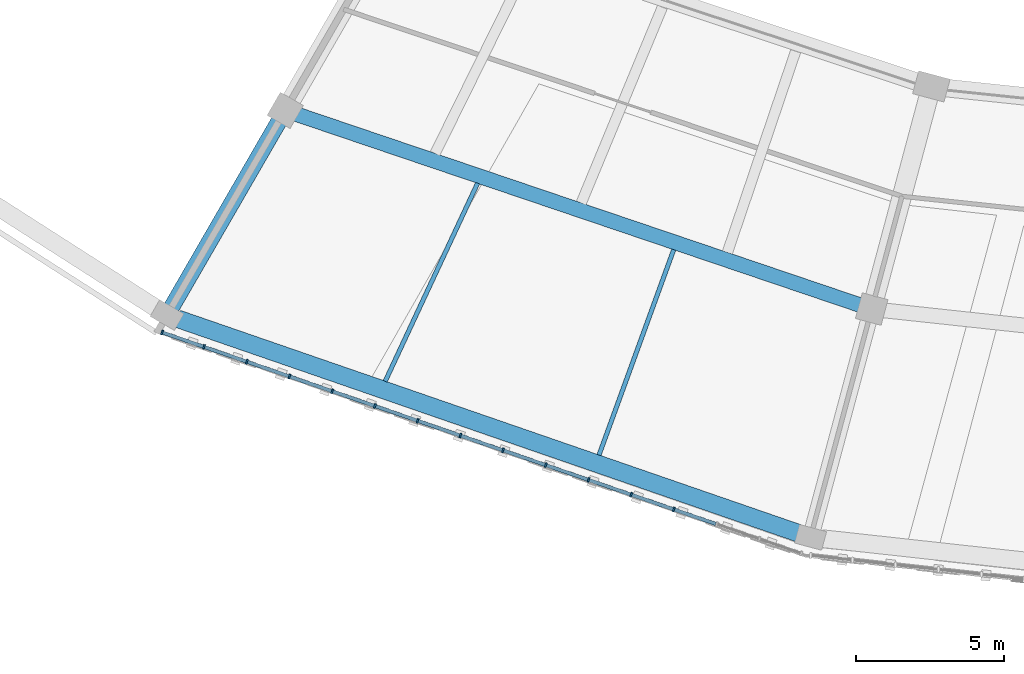
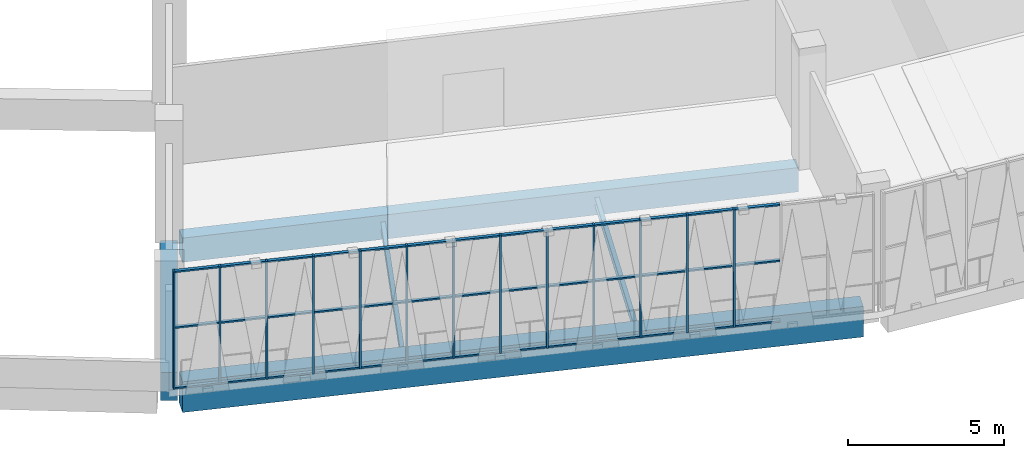
# One storey, part 2 of 64: 52 members, 5 beams, 1 element without a shape of its own.
"""IFC4 building model written with IfcOpenShell, lengths in metres."""

from ifc_helpers import new_model, si_unit, direction, frame, origin, origin_2d, place, context, subcontext, project, spatial, rectangle, i_section, extrude, material, material_profile, profile_set, type_object, element, aggregate, save


model = new_model("IFC4")

# Units and contexts
model_context = context("Model", 3, precision=1e-05, world=origin(), true_north=direction((0.0, 1.0)))
body_context = subcontext(model_context, "Body", "Model", "MODEL_VIEW")
ifc_project = project(units=[si_unit("LENGTHUNIT", "METRE"), si_unit("AREAUNIT", "SQUARE_METRE"), si_unit("VOLUMEUNIT", "CUBIC_METRE"), si_unit("PLANEANGLEUNIT", "RADIAN"), si_unit("MASSUNIT", "GRAM", prefix="KILO")], contexts=[model_context])

# Site, building, storey
site_placement = place(None, origin())
site = spatial("IfcSite", under=ifc_project, at=site_placement, CompositionType="ELEMENT")
building_placement = place(site_placement, origin())
building = spatial("IfcBuilding", under=site, at=building_placement, Name="Zevraka Park Crest Stadium", CompositionType="ELEMENT")
storey_placement = place(building_placement, frame((0.0, 0.0, 24.60009765625)))
storey = spatial("IfcBuildingStorey", under=building, at=storey_placement, Name="L05", CompositionType="ELEMENT", Elevation=24.60009765625)

# Beam
ifc_material_1 = material(Name="Concrete C40/50", Category="concrete")
ifc_material_profile_1 = material_profile(ifc_material_1, rectangle(XDim=0.550048828125, YDim=1.10009765625, at=origin_2d()), Name="RC 1100x550")
ifc_profile_set_1 = profile_set([ifc_material_profile_1], Name="Concrete C40/50")
beam_type_1 = type_object("IfcBeamType", Name="BG02", PredefinedType="BEAM", material=ifc_profile_set_1)
beam_1_placement = place(storey_placement, frame((70.699951171875, 33.4560546875, -0.56005859375), z_axis=(-0.500031859608, -0.86600700885, 0.0), x_axis=(0.86600700885, -0.500031859608, 0.0)))
element("IfcBeam", 1, at=beam_1_placement, inside=storey, type_object=beam_type_1, Name="Radial Girder BG02 L05-CD-16", PredefinedType="BEAM", context=body_context, shape_type="SweptSolid", body=[
    extrude(rectangle(XDim=0.550048828125, YDim=1.10009765625, at=origin_2d()), origin(), (0.0, 0.0, 1.0), 7.3994140625),
])

# Curtain wall, members
ifc_material_2 = material(Name="Anodised architectural aluminium and laminated safety glass", Category="aluminium")
curtain_wall_type = type_object("IfcCurtainWallType", Name="CW22", PredefinedType="NOTDEFINED", material=ifc_material_2)
curtain_wall_placement = place(storey_placement, origin())
curtain_wall = element("IfcCurtainWall", 2, at=curtain_wall_placement, inside=storey, type_object=curtain_wall_type, Name="Unitised Ring Curtain Wall CW22 L05-16", PredefinedType="NOTDEFINED")
ifc_material_3 = material(Name="Anodised architectural aluminium", Category="aluminium")
ifc_material_profile_2 = material_profile(ifc_material_3, rectangle(XDim=0.159912109375, YDim=0.06005859375, at=origin_2d()), Name="ALU MULLION 160x60")
ifc_profile_set_2 = profile_set([ifc_material_profile_2], Name="Anodised architectural aluminium")
member_type_1 = type_object("IfcMemberType", Name="CM01", PredefinedType="MULLION", material=ifc_profile_set_2)
member_1_placement = place(storey_placement, frame((66.686279296875, 26.2021484375, 0.0), z_axis=(0.0, 0.0, 1.0), x_axis=(0.326929424834, 0.945048755979, 0.0)))
member_1 = element("IfcMember", 3, at=member_1_placement, type_object=member_type_1, Name="CW22 mullion 1", PredefinedType="MULLION", context=body_context, shape_type="SweptSolid", body=[
    extrude(rectangle(XDim=0.159912109375, YDim=0.06005859375, at=origin_2d()), origin(), (0.0, 0.0, 1.0), 4.619873046875),
])
member_2_placement = place(storey_placement, frame((68.103515625, 25.7119140625, 0.0), z_axis=(0.0, 0.0, 1.0), x_axis=(0.326929424834, 0.945048755979, 0.0)))
member_2 = element("IfcMember", 4, at=member_2_placement, type_object=member_type_1, Name="CW22 mullion 2", PredefinedType="MULLION", context=body_context, shape_type="SweptSolid", body=[
    extrude(rectangle(XDim=0.159912109375, YDim=0.06005859375, at=origin_2d()), origin(), (0.0, 0.0, 1.0), 4.619873046875),
])
member_3_placement = place(storey_placement, frame((69.549072265625, 25.2119140625, 0.0), z_axis=(0.0, 0.0, 1.0), x_axis=(0.326929424834, 0.945048755979, 0.0)))
member_3 = element("IfcMember", 5, at=member_3_placement, type_object=member_type_1, Name="CW22 mullion 3", PredefinedType="MULLION", context=body_context, shape_type="SweptSolid", body=[
    extrude(rectangle(XDim=0.159912109375, YDim=0.06005859375, at=origin_2d()), origin(), (0.0, 0.0, 1.0), 4.619873046875),
])
member_4_placement = place(storey_placement, frame((70.99462890625, 24.7119140625, 0.0), z_axis=(0.0, 0.0, 1.0), x_axis=(0.326929424834, 0.945048755979, 0.0)))
member_4 = element("IfcMember", 6, at=member_4_placement, type_object=member_type_1, Name="CW22 mullion 4", PredefinedType="MULLION", context=body_context, shape_type="SweptSolid", body=[
    extrude(rectangle(XDim=0.159912109375, YDim=0.06005859375, at=origin_2d()), origin(), (0.0, 0.0, 1.0), 4.619873046875),
])
member_5_placement = place(storey_placement, frame((72.440185546875, 24.211669921875, 0.0), z_axis=(0.0, 0.0, 1.0), x_axis=(0.326929424834, 0.945048755979, 0.0)))
member_5 = element("IfcMember", 7, at=member_5_placement, type_object=member_type_1, Name="CW22 mullion 5", PredefinedType="MULLION", context=body_context, shape_type="SweptSolid", body=[
    extrude(rectangle(XDim=0.159912109375, YDim=0.06005859375, at=origin_2d()), origin(), (0.0, 0.0, 1.0), 4.619873046875),
])
member_6_placement = place(storey_placement, frame((73.8857421875, 23.711669921875, 0.0), z_axis=(0.0, 0.0, 1.0), x_axis=(0.326929424834, 0.945048755979, 0.0)))
member_6 = element("IfcMember", 8, at=member_6_placement, type_object=member_type_1, Name="CW22 mullion 6", PredefinedType="MULLION", context=body_context, shape_type="SweptSolid", body=[
    extrude(rectangle(XDim=0.159912109375, YDim=0.06005859375, at=origin_2d()), origin(), (0.0, 0.0, 1.0), 4.619873046875),
])
member_7_placement = place(storey_placement, frame((75.331298828125, 23.211669921875, 0.0), z_axis=(0.0, 0.0, 1.0), x_axis=(0.326929424834, 0.945048755979, 0.0)))
member_7 = element("IfcMember", 9, at=member_7_placement, type_object=member_type_1, Name="CW22 mullion 7", PredefinedType="MULLION", context=body_context, shape_type="SweptSolid", body=[
    extrude(rectangle(XDim=0.159912109375, YDim=0.06005859375, at=origin_2d()), origin(), (0.0, 0.0, 1.0), 4.619873046875),
])
member_8_placement = place(storey_placement, frame((76.776611328125, 22.71142578125, 0.0), z_axis=(0.0, 0.0, 1.0), x_axis=(0.326929424834, 0.945048755979, 0.0)))
member_8 = element("IfcMember", 10, at=member_8_placement, type_object=member_type_1, Name="CW22 mullion 8", PredefinedType="MULLION", context=body_context, shape_type="SweptSolid", body=[
    extrude(rectangle(XDim=0.159912109375, YDim=0.06005859375, at=origin_2d()), origin(), (0.0, 0.0, 1.0), 4.619873046875),
])
member_9_placement = place(storey_placement, frame((78.22216796875, 22.21142578125, 0.0), z_axis=(0.0, 0.0, 1.0), x_axis=(0.326929424834, 0.945048755979, 0.0)))
member_9 = element("IfcMember", 11, at=member_9_placement, type_object=member_type_1, Name="CW22 mullion 9", PredefinedType="MULLION", context=body_context, shape_type="SweptSolid", body=[
    extrude(rectangle(XDim=0.159912109375, YDim=0.06005859375, at=origin_2d()), origin(), (0.0, 0.0, 1.0), 4.619873046875),
])
member_10_placement = place(storey_placement, frame((79.667724609375, 21.71142578125, 0.0), z_axis=(0.0, 0.0, 1.0), x_axis=(0.326929424834, 0.945048755979, 0.0)))
member_10 = element("IfcMember", 12, at=member_10_placement, type_object=member_type_1, Name="CW22 mullion 10", PredefinedType="MULLION", context=body_context, shape_type="SweptSolid", body=[
    extrude(rectangle(XDim=0.159912109375, YDim=0.06005859375, at=origin_2d()), origin(), (0.0, 0.0, 1.0), 4.619873046875),
])
member_11_placement = place(storey_placement, frame((81.11328125, 21.21142578125, 0.0), z_axis=(0.0, 0.0, 1.0), x_axis=(0.326929424834, 0.945048755979, 0.0)))
member_11 = element("IfcMember", 13, at=member_11_placement, type_object=member_type_1, Name="CW22 mullion 11", PredefinedType="MULLION", context=body_context, shape_type="SweptSolid", body=[
    extrude(rectangle(XDim=0.159912109375, YDim=0.06005859375, at=origin_2d()), origin(), (0.0, 0.0, 1.0), 4.619873046875),
])
member_12_placement = place(storey_placement, frame((82.558837890625, 20.711181640625, 0.0), z_axis=(0.0, 0.0, 1.0), x_axis=(0.326929424834, 0.945048755979, 0.0)))
member_12 = element("IfcMember", 14, at=member_12_placement, type_object=member_type_1, Name="CW22 mullion 12", PredefinedType="MULLION", context=body_context, shape_type="SweptSolid", body=[
    extrude(rectangle(XDim=0.159912109375, YDim=0.06005859375, at=origin_2d()), origin(), (0.0, 0.0, 1.0), 4.619873046875),
])
member_13_placement = place(storey_placement, frame((84.00439453125, 20.211181640625, 0.0), z_axis=(0.0, 0.0, 1.0), x_axis=(0.326929424834, 0.945048755979, 0.0)))
member_13 = element("IfcMember", 15, at=member_13_placement, type_object=member_type_1, Name="CW22 mullion 13", PredefinedType="MULLION", context=body_context, shape_type="SweptSolid", body=[
    extrude(rectangle(XDim=0.159912109375, YDim=0.06005859375, at=origin_2d()), origin(), (0.0, 0.0, 1.0), 4.619873046875),
])
ifc_material_4 = material(Name="Anodised architectural aluminium", Category="aluminium")
ifc_material_profile_3 = material_profile(ifc_material_4, rectangle(XDim=0.1201171875, YDim=0.06005859375, at=origin_2d()), Name="ALU TRANSOM 120x60")
ifc_profile_set_3 = profile_set([ifc_material_profile_3], Name="Anodised architectural aluminium")
member_type_2 = type_object("IfcMemberType", Name="CT01", PredefinedType="USERDEFINED", material=ifc_profile_set_3)
member_14_placement = place(storey_placement, frame((66.714599609375, 26.1923828125, 0.02978515625), z_axis=(0.945044524948, -0.326941655141, 0.0), x_axis=(0.326941655141, 0.945044524948, 0.0)))
member_14 = element("IfcMember", 16, at=member_14_placement, type_object=member_type_2, Name="CW22 transom 1.1", ObjectType="TRANSOM", PredefinedType="USERDEFINED", context=body_context, shape_type="SweptSolid", body=[
    extrude(rectangle(XDim=0.1201171875, YDim=0.06005859375, at=origin_2d()), origin(), (0.0, 0.0, 1.0), 1.439697265625),
])
member_15_placement = place(storey_placement, frame((66.714599609375, 26.1923828125, 2.39990234375), z_axis=(0.945044524948, -0.326941655141, 0.0), x_axis=(0.326941655141, 0.945044524948, 0.0)))
member_15 = element("IfcMember", 17, at=member_15_placement, type_object=member_type_2, Name="CW22 transom 1.2", ObjectType="TRANSOM", PredefinedType="USERDEFINED", context=body_context, shape_type="SweptSolid", body=[
    extrude(rectangle(XDim=0.1201171875, YDim=0.06005859375, at=origin_2d()), origin(), (0.0, 0.0, 1.0), 1.439697265625),
])
member_16_placement = place(storey_placement, frame((66.714599609375, 26.1923828125, 4.58984375), z_axis=(0.945044524948, -0.326941655141, 0.0), x_axis=(0.326941655141, 0.945044524948, 0.0)))
member_16 = element("IfcMember", 18, at=member_16_placement, type_object=member_type_2, Name="CW22 transom 1.3", ObjectType="TRANSOM", PredefinedType="USERDEFINED", context=body_context, shape_type="SweptSolid", body=[
    extrude(rectangle(XDim=0.1201171875, YDim=0.06005859375, at=origin_2d()), origin(), (0.0, 0.0, 1.0), 1.439697265625),
])
member_17_placement = place(storey_placement, frame((68.1318359375, 25.7021484375, 0.02978515625), z_axis=(0.945051229525, -0.326922274513, 0.0), x_axis=(0.326922274513, 0.945051229525, 0.0)))
member_17 = element("IfcMember", 19, at=member_17_placement, type_object=member_type_2, Name="CW22 transom 2.1", ObjectType="TRANSOM", PredefinedType="USERDEFINED", context=body_context, shape_type="SweptSolid", body=[
    extrude(rectangle(XDim=0.1201171875, YDim=0.06005859375, at=origin_2d()), origin(), (0.0, 0.0, 1.0), 1.4697265625),
])
member_18_placement = place(storey_placement, frame((68.1318359375, 25.7021484375, 2.39990234375), z_axis=(0.945051229525, -0.326922274513, 0.0), x_axis=(0.326922274513, 0.945051229525, 0.0)))
member_18 = element("IfcMember", 20, at=member_18_placement, type_object=member_type_2, Name="CW22 transom 2.2", ObjectType="TRANSOM", PredefinedType="USERDEFINED", context=body_context, shape_type="SweptSolid", body=[
    extrude(rectangle(XDim=0.1201171875, YDim=0.06005859375, at=origin_2d()), origin(), (0.0, 0.0, 1.0), 1.4697265625),
])
member_19_placement = place(storey_placement, frame((68.1318359375, 25.7021484375, 4.58984375), z_axis=(0.945051229525, -0.326922274513, 0.0), x_axis=(0.326922274513, 0.945051229525, 0.0)))
member_19 = element("IfcMember", 21, at=member_19_placement, type_object=member_type_2, Name="CW22 transom 2.3", ObjectType="TRANSOM", PredefinedType="USERDEFINED", context=body_context, shape_type="SweptSolid", body=[
    extrude(rectangle(XDim=0.1201171875, YDim=0.06005859375, at=origin_2d()), origin(), (0.0, 0.0, 1.0), 1.4697265625),
])
member_20_placement = place(storey_placement, frame((69.577392578125, 25.2021484375, 0.02978515625), z_axis=(0.945051229525, -0.326922274513, 0.0), x_axis=(0.326922274513, 0.945051229525, 0.0)))
member_20 = element("IfcMember", 22, at=member_20_placement, type_object=member_type_2, Name="CW22 transom 3.1", ObjectType="TRANSOM", PredefinedType="USERDEFINED", context=body_context, shape_type="SweptSolid", body=[
    extrude(rectangle(XDim=0.1201171875, YDim=0.06005859375, at=origin_2d()), origin(), (0.0, 0.0, 1.0), 1.4697265625),
])
member_21_placement = place(storey_placement, frame((69.577392578125, 25.2021484375, 2.39990234375), z_axis=(0.945051229525, -0.326922274513, 0.0), x_axis=(0.326922274513, 0.945051229525, 0.0)))
member_21 = element("IfcMember", 23, at=member_21_placement, type_object=member_type_2, Name="CW22 transom 3.2", ObjectType="TRANSOM", PredefinedType="USERDEFINED", context=body_context, shape_type="SweptSolid", body=[
    extrude(rectangle(XDim=0.1201171875, YDim=0.06005859375, at=origin_2d()), origin(), (0.0, 0.0, 1.0), 1.4697265625),
])
member_22_placement = place(storey_placement, frame((69.577392578125, 25.2021484375, 4.58984375), z_axis=(0.945051229525, -0.326922274513, 0.0), x_axis=(0.326922274513, 0.945051229525, 0.0)))
member_22 = element("IfcMember", 24, at=member_22_placement, type_object=member_type_2, Name="CW22 transom 3.3", ObjectType="TRANSOM", PredefinedType="USERDEFINED", context=body_context, shape_type="SweptSolid", body=[
    extrude(rectangle(XDim=0.1201171875, YDim=0.06005859375, at=origin_2d()), origin(), (0.0, 0.0, 1.0), 1.4697265625),
])
member_23_placement = place(storey_placement, frame((71.02294921875, 24.701904296875, 0.02978515625), z_axis=(0.945051229525, -0.326922274513, 0.0), x_axis=(0.326922274513, 0.945051229525, 0.0)))
member_23 = element("IfcMember", 25, at=member_23_placement, type_object=member_type_2, Name="CW22 transom 4.1", ObjectType="TRANSOM", PredefinedType="USERDEFINED", context=body_context, shape_type="SweptSolid", body=[
    extrude(rectangle(XDim=0.1201171875, YDim=0.06005859375, at=origin_2d()), origin(), (0.0, 0.0, 1.0), 1.4697265625),
])
member_24_placement = place(storey_placement, frame((71.02294921875, 24.701904296875, 2.39990234375), z_axis=(0.945051229525, -0.326922274513, 0.0), x_axis=(0.326922274513, 0.945051229525, 0.0)))
member_24 = element("IfcMember", 26, at=member_24_placement, type_object=member_type_2, Name="CW22 transom 4.2", ObjectType="TRANSOM", PredefinedType="USERDEFINED", context=body_context, shape_type="SweptSolid", body=[
    extrude(rectangle(XDim=0.1201171875, YDim=0.06005859375, at=origin_2d()), origin(), (0.0, 0.0, 1.0), 1.4697265625),
])
member_25_placement = place(storey_placement, frame((71.02294921875, 24.701904296875, 4.58984375), z_axis=(0.945051229525, -0.326922274513, 0.0), x_axis=(0.326922274513, 0.945051229525, 0.0)))
member_25 = element("IfcMember", 27, at=member_25_placement, type_object=member_type_2, Name="CW22 transom 4.3", ObjectType="TRANSOM", PredefinedType="USERDEFINED", context=body_context, shape_type="SweptSolid", body=[
    extrude(rectangle(XDim=0.1201171875, YDim=0.06005859375, at=origin_2d()), origin(), (0.0, 0.0, 1.0), 1.4697265625),
])
member_26_placement = place(storey_placement, frame((72.468505859375, 24.201904296875, 0.02978515625), z_axis=(0.945051229525, -0.326922274513, 0.0), x_axis=(0.326922274513, 0.945051229525, 0.0)))
member_26 = element("IfcMember", 28, at=member_26_placement, type_object=member_type_2, Name="CW22 transom 5.1", ObjectType="TRANSOM", PredefinedType="USERDEFINED", context=body_context, shape_type="SweptSolid", body=[
    extrude(rectangle(XDim=0.1201171875, YDim=0.06005859375, at=origin_2d()), origin(), (0.0, 0.0, 1.0), 1.4697265625),
])
member_27_placement = place(storey_placement, frame((72.468505859375, 24.201904296875, 2.39990234375), z_axis=(0.945051229525, -0.326922274513, 0.0), x_axis=(0.326922274513, 0.945051229525, 0.0)))
member_27 = element("IfcMember", 29, at=member_27_placement, type_object=member_type_2, Name="CW22 transom 5.2", ObjectType="TRANSOM", PredefinedType="USERDEFINED", context=body_context, shape_type="SweptSolid", body=[
    extrude(rectangle(XDim=0.1201171875, YDim=0.06005859375, at=origin_2d()), origin(), (0.0, 0.0, 1.0), 1.4697265625),
])
member_28_placement = place(storey_placement, frame((72.468505859375, 24.201904296875, 4.58984375), z_axis=(0.945051229525, -0.326922274513, 0.0), x_axis=(0.326922274513, 0.945051229525, 0.0)))
member_28 = element("IfcMember", 30, at=member_28_placement, type_object=member_type_2, Name="CW22 transom 5.3", ObjectType="TRANSOM", PredefinedType="USERDEFINED", context=body_context, shape_type="SweptSolid", body=[
    extrude(rectangle(XDim=0.1201171875, YDim=0.06005859375, at=origin_2d()), origin(), (0.0, 0.0, 1.0), 1.4697265625),
])
member_29_placement = place(storey_placement, frame((73.9140625, 23.701904296875, 0.02978515625), z_axis=(0.945033470844, -0.326973605946, 0.0), x_axis=(0.326973605946, 0.945033470844, 0.0)))
member_29 = element("IfcMember", 31, at=member_29_placement, type_object=member_type_2, Name="CW22 transom 6.1", ObjectType="TRANSOM", PredefinedType="USERDEFINED", context=body_context, shape_type="SweptSolid", body=[
    extrude(rectangle(XDim=0.1201171875, YDim=0.06005859375, at=origin_2d()), origin(), (0.0, 0.0, 1.0), 1.469482421875),
])
member_30_placement = place(storey_placement, frame((73.9140625, 23.701904296875, 2.39990234375), z_axis=(0.945033470844, -0.326973605946, 0.0), x_axis=(0.326973605946, 0.945033470844, 0.0)))
member_30 = element("IfcMember", 32, at=member_30_placement, type_object=member_type_2, Name="CW22 transom 6.2", ObjectType="TRANSOM", PredefinedType="USERDEFINED", context=body_context, shape_type="SweptSolid", body=[
    extrude(rectangle(XDim=0.1201171875, YDim=0.06005859375, at=origin_2d()), origin(), (0.0, 0.0, 1.0), 1.469482421875),
])
member_31_placement = place(storey_placement, frame((73.9140625, 23.701904296875, 4.58984375), z_axis=(0.945033470844, -0.326973605946, 0.0), x_axis=(0.326973605946, 0.945033470844, 0.0)))
member_31 = element("IfcMember", 33, at=member_31_placement, type_object=member_type_2, Name="CW22 transom 6.3", ObjectType="TRANSOM", PredefinedType="USERDEFINED", context=body_context, shape_type="SweptSolid", body=[
    extrude(rectangle(XDim=0.1201171875, YDim=0.06005859375, at=origin_2d()), origin(), (0.0, 0.0, 1.0), 1.469482421875),
])
member_32_placement = place(storey_placement, frame((75.359619140625, 23.201904296875, 0.02978515625), z_axis=(0.945033470844, -0.326973605946, 0.0), x_axis=(0.326973605946, 0.945033470844, 0.0)))
member_32 = element("IfcMember", 34, at=member_32_placement, type_object=member_type_2, Name="CW22 transom 7.1", ObjectType="TRANSOM", PredefinedType="USERDEFINED", context=body_context, shape_type="SweptSolid", body=[
    extrude(rectangle(XDim=0.1201171875, YDim=0.06005859375, at=origin_2d()), origin(), (0.0, 0.0, 1.0), 1.469482421875),
])
member_33_placement = place(storey_placement, frame((75.359619140625, 23.201904296875, 2.39990234375), z_axis=(0.945033470844, -0.326973605946, 0.0), x_axis=(0.326973605946, 0.945033470844, 0.0)))
member_33 = element("IfcMember", 35, at=member_33_placement, type_object=member_type_2, Name="CW22 transom 7.2", ObjectType="TRANSOM", PredefinedType="USERDEFINED", context=body_context, shape_type="SweptSolid", body=[
    extrude(rectangle(XDim=0.1201171875, YDim=0.06005859375, at=origin_2d()), origin(), (0.0, 0.0, 1.0), 1.469482421875),
])
member_34_placement = place(storey_placement, frame((75.359619140625, 23.201904296875, 4.58984375), z_axis=(0.945033470844, -0.326973605946, 0.0), x_axis=(0.326973605946, 0.945033470844, 0.0)))
member_34 = element("IfcMember", 36, at=member_34_placement, type_object=member_type_2, Name="CW22 transom 7.3", ObjectType="TRANSOM", PredefinedType="USERDEFINED", context=body_context, shape_type="SweptSolid", body=[
    extrude(rectangle(XDim=0.1201171875, YDim=0.06005859375, at=origin_2d()), origin(), (0.0, 0.0, 1.0), 1.469482421875),
])
member_35_placement = place(storey_placement, frame((76.80517578125, 22.70166015625, 0.02978515625), z_axis=(0.945033470844, -0.326973605946, 0.0), x_axis=(0.326973605946, 0.945033470844, 0.0)))
member_35 = element("IfcMember", 37, at=member_35_placement, type_object=member_type_2, Name="CW22 transom 8.1", ObjectType="TRANSOM", PredefinedType="USERDEFINED", context=body_context, shape_type="SweptSolid", body=[
    extrude(rectangle(XDim=0.1201171875, YDim=0.06005859375, at=origin_2d()), origin(), (0.0, 0.0, 1.0), 1.469482421875),
])
member_36_placement = place(storey_placement, frame((76.80517578125, 22.70166015625, 2.39990234375), z_axis=(0.945033470844, -0.326973605946, 0.0), x_axis=(0.326973605946, 0.945033470844, 0.0)))
member_36 = element("IfcMember", 38, at=member_36_placement, type_object=member_type_2, Name="CW22 transom 8.2", ObjectType="TRANSOM", PredefinedType="USERDEFINED", context=body_context, shape_type="SweptSolid", body=[
    extrude(rectangle(XDim=0.1201171875, YDim=0.06005859375, at=origin_2d()), origin(), (0.0, 0.0, 1.0), 1.469482421875),
])
member_37_placement = place(storey_placement, frame((76.80517578125, 22.70166015625, 4.58984375), z_axis=(0.945033470844, -0.326973605946, 0.0), x_axis=(0.326973605946, 0.945033470844, 0.0)))
member_37 = element("IfcMember", 39, at=member_37_placement, type_object=member_type_2, Name="CW22 transom 8.3", ObjectType="TRANSOM", PredefinedType="USERDEFINED", context=body_context, shape_type="SweptSolid", body=[
    extrude(rectangle(XDim=0.1201171875, YDim=0.06005859375, at=origin_2d()), origin(), (0.0, 0.0, 1.0), 1.469482421875),
])
member_38_placement = place(storey_placement, frame((78.250732421875, 22.20166015625, 0.02978515625), z_axis=(0.945033470844, -0.326973605946, 0.0), x_axis=(0.326973605946, 0.945033470844, 0.0)))
member_38 = element("IfcMember", 40, at=member_38_placement, type_object=member_type_2, Name="CW22 transom 9.1", ObjectType="TRANSOM", PredefinedType="USERDEFINED", context=body_context, shape_type="SweptSolid", body=[
    extrude(rectangle(XDim=0.1201171875, YDim=0.06005859375, at=origin_2d()), origin(), (0.0, 0.0, 1.0), 1.469482421875),
])
member_39_placement = place(storey_placement, frame((78.250732421875, 22.20166015625, 2.39990234375), z_axis=(0.945033470844, -0.326973605946, 0.0), x_axis=(0.326973605946, 0.945033470844, 0.0)))
member_39 = element("IfcMember", 41, at=member_39_placement, type_object=member_type_2, Name="CW22 transom 9.2", ObjectType="TRANSOM", PredefinedType="USERDEFINED", context=body_context, shape_type="SweptSolid", body=[
    extrude(rectangle(XDim=0.1201171875, YDim=0.06005859375, at=origin_2d()), origin(), (0.0, 0.0, 1.0), 1.469482421875),
])
member_40_placement = place(storey_placement, frame((78.250732421875, 22.20166015625, 4.58984375), z_axis=(0.945033470844, -0.326973605946, 0.0), x_axis=(0.326973605946, 0.945033470844, 0.0)))
member_40 = element("IfcMember", 42, at=member_40_placement, type_object=member_type_2, Name="CW22 transom 9.3", ObjectType="TRANSOM", PredefinedType="USERDEFINED", context=body_context, shape_type="SweptSolid", body=[
    extrude(rectangle(XDim=0.1201171875, YDim=0.06005859375, at=origin_2d()), origin(), (0.0, 0.0, 1.0), 1.469482421875),
])
member_41_placement = place(storey_placement, frame((79.696044921875, 21.70166015625, 0.02978515625), z_axis=(0.945051229525, -0.326922274513, 0.0), x_axis=(0.326922274513, 0.945051229525, 0.0)))
member_41 = element("IfcMember", 43, at=member_41_placement, type_object=member_type_2, Name="CW22 transom 10.1", ObjectType="TRANSOM", PredefinedType="USERDEFINED", context=body_context, shape_type="SweptSolid", body=[
    extrude(rectangle(XDim=0.1201171875, YDim=0.06005859375, at=origin_2d()), origin(), (0.0, 0.0, 1.0), 1.4697265625),
])
member_42_placement = place(storey_placement, frame((79.696044921875, 21.70166015625, 2.39990234375), z_axis=(0.945051229525, -0.326922274513, 0.0), x_axis=(0.326922274513, 0.945051229525, 0.0)))
member_42 = element("IfcMember", 44, at=member_42_placement, type_object=member_type_2, Name="CW22 transom 10.2", ObjectType="TRANSOM", PredefinedType="USERDEFINED", context=body_context, shape_type="SweptSolid", body=[
    extrude(rectangle(XDim=0.1201171875, YDim=0.06005859375, at=origin_2d()), origin(), (0.0, 0.0, 1.0), 1.4697265625),
])
member_43_placement = place(storey_placement, frame((79.696044921875, 21.70166015625, 4.58984375), z_axis=(0.945051229525, -0.326922274513, 0.0), x_axis=(0.326922274513, 0.945051229525, 0.0)))
member_43 = element("IfcMember", 45, at=member_43_placement, type_object=member_type_2, Name="CW22 transom 10.3", ObjectType="TRANSOM", PredefinedType="USERDEFINED", context=body_context, shape_type="SweptSolid", body=[
    extrude(rectangle(XDim=0.1201171875, YDim=0.06005859375, at=origin_2d()), origin(), (0.0, 0.0, 1.0), 1.4697265625),
])
member_44_placement = place(storey_placement, frame((81.1416015625, 21.201416015625, 0.02978515625), z_axis=(0.945102544521, -0.326773897886, 0.0), x_axis=(0.326773897886, 0.945102544521, 0.0)))
member_44 = element("IfcMember", 46, at=member_44_placement, type_object=member_type_2, Name="CW22 transom 11.1", ObjectType="TRANSOM", PredefinedType="USERDEFINED", context=body_context, shape_type="SweptSolid", body=[
    extrude(rectangle(XDim=0.1201171875, YDim=0.06005859375, at=origin_2d()), origin(), (0.0, 0.0, 1.0), 1.469482421875),
])
member_45_placement = place(storey_placement, frame((81.1416015625, 21.201416015625, 2.39990234375), z_axis=(0.945102544521, -0.326773897886, 0.0), x_axis=(0.326773897886, 0.945102544521, 0.0)))
member_45 = element("IfcMember", 47, at=member_45_placement, type_object=member_type_2, Name="CW22 transom 11.2", ObjectType="TRANSOM", PredefinedType="USERDEFINED", context=body_context, shape_type="SweptSolid", body=[
    extrude(rectangle(XDim=0.1201171875, YDim=0.06005859375, at=origin_2d()), origin(), (0.0, 0.0, 1.0), 1.469482421875),
])
member_46_placement = place(storey_placement, frame((81.1416015625, 21.201416015625, 4.58984375), z_axis=(0.945102544521, -0.326773897886, 0.0), x_axis=(0.326773897886, 0.945102544521, 0.0)))
member_46 = element("IfcMember", 48, at=member_46_placement, type_object=member_type_2, Name="CW22 transom 11.3", ObjectType="TRANSOM", PredefinedType="USERDEFINED", context=body_context, shape_type="SweptSolid", body=[
    extrude(rectangle(XDim=0.1201171875, YDim=0.06005859375, at=origin_2d()), origin(), (0.0, 0.0, 1.0), 1.469482421875),
])
member_47_placement = place(storey_placement, frame((82.587158203125, 20.701416015625, 0.02978515625), z_axis=(0.945051229525, -0.326922274513, 0.0), x_axis=(0.326922274513, 0.945051229525, 0.0)))
member_47 = element("IfcMember", 49, at=member_47_placement, type_object=member_type_2, Name="CW22 transom 12.1", ObjectType="TRANSOM", PredefinedType="USERDEFINED", context=body_context, shape_type="SweptSolid", body=[
    extrude(rectangle(XDim=0.1201171875, YDim=0.06005859375, at=origin_2d()), origin(), (0.0, 0.0, 1.0), 1.4697265625),
])
member_48_placement = place(storey_placement, frame((82.587158203125, 20.701416015625, 2.39990234375), z_axis=(0.945051229525, -0.326922274513, 0.0), x_axis=(0.326922274513, 0.945051229525, 0.0)))
member_48 = element("IfcMember", 50, at=member_48_placement, type_object=member_type_2, Name="CW22 transom 12.2", ObjectType="TRANSOM", PredefinedType="USERDEFINED", context=body_context, shape_type="SweptSolid", body=[
    extrude(rectangle(XDim=0.1201171875, YDim=0.06005859375, at=origin_2d()), origin(), (0.0, 0.0, 1.0), 1.4697265625),
])
member_49_placement = place(storey_placement, frame((82.587158203125, 20.701416015625, 4.58984375), z_axis=(0.945051229525, -0.326922274513, 0.0), x_axis=(0.326922274513, 0.945051229525, 0.0)))
member_49 = element("IfcMember", 51, at=member_49_placement, type_object=member_type_2, Name="CW22 transom 12.3", ObjectType="TRANSOM", PredefinedType="USERDEFINED", context=body_context, shape_type="SweptSolid", body=[
    extrude(rectangle(XDim=0.1201171875, YDim=0.06005859375, at=origin_2d()), origin(), (0.0, 0.0, 1.0), 1.4697265625),
])
member_50_placement = place(storey_placement, frame((84.03271484375, 20.201416015625, 0.02978515625), z_axis=(0.945051229525, -0.326922274513, 0.0), x_axis=(0.326922274513, 0.945051229525, 0.0)))
member_50 = element("IfcMember", 52, at=member_50_placement, type_object=member_type_2, Name="CW22 transom 13.1", ObjectType="TRANSOM", PredefinedType="USERDEFINED", context=body_context, shape_type="SweptSolid", body=[
    extrude(rectangle(XDim=0.1201171875, YDim=0.06005859375, at=origin_2d()), origin(), (0.0, 0.0, 1.0), 1.4697265625),
])
member_51_placement = place(storey_placement, frame((84.03271484375, 20.201416015625, 2.39990234375), z_axis=(0.945051229525, -0.326922274513, 0.0), x_axis=(0.326922274513, 0.945051229525, 0.0)))
member_51 = element("IfcMember", 53, at=member_51_placement, type_object=member_type_2, Name="CW22 transom 13.2", ObjectType="TRANSOM", PredefinedType="USERDEFINED", context=body_context, shape_type="SweptSolid", body=[
    extrude(rectangle(XDim=0.1201171875, YDim=0.06005859375, at=origin_2d()), origin(), (0.0, 0.0, 1.0), 1.4697265625),
])
member_52_placement = place(storey_placement, frame((84.03271484375, 20.201416015625, 4.58984375), z_axis=(0.945051229525, -0.326922274513, 0.0), x_axis=(0.326922274513, 0.945051229525, 0.0)))
member_52 = element("IfcMember", 54, at=member_52_placement, type_object=member_type_2, Name="CW22 transom 13.3", ObjectType="TRANSOM", PredefinedType="USERDEFINED", context=body_context, shape_type="SweptSolid", body=[
    extrude(rectangle(XDim=0.1201171875, YDim=0.06005859375, at=origin_2d()), origin(), (0.0, 0.0, 1.0), 1.4697265625),
])
aggregate(curtain_wall, [member_1, member_2, member_3, member_4, member_5, member_6, member_7, member_8, member_9, member_10, member_11, member_12, member_13, member_14, member_15, member_16, member_17, member_18, member_19, member_20, member_21, member_22, member_23, member_24, member_25, member_26, member_27, member_28, member_29, member_30, member_31, member_32, member_33, member_34, member_35, member_36, member_37, member_38, member_39, member_40, member_41, member_42, member_43, member_44, member_45, member_46, member_47, member_48, member_49, member_50, member_51, member_52])

# Beams
ifc_material_5 = material(Name="Concrete C40/50", Category="concrete")
ifc_material_profile_4 = material_profile(ifc_material_5, rectangle(XDim=0.60009765625, YDim=1.199951171875, at=origin_2d()), Name="RC 1200x600")
ifc_profile_set_4 = profile_set([ifc_material_profile_4], Name="Concrete C40/50")
beam_type_2 = type_object("IfcBeamType", Name="RB01", PredefinedType="BEAM", material=ifc_profile_set_4)
beam_2_placement = place(storey_placement, frame((67.208984375, 26.6640625, -0.610107421875), z_axis=(0.945210431582, -0.326461697644, 0.0), x_axis=(0.326461697644, 0.945210431582, 0.0)))
element("IfcBeam", 55, at=beam_2_placement, inside=storey, type_object=beam_type_2, Name="Ring Beam RB01 L05-D-16", PredefinedType="BEAM", context=body_context, shape_type="SweptSolid", body=[
    extrude(rectangle(XDim=0.60009765625, YDim=1.199951171875, at=origin_2d()), origin(), (0.0, 0.0, 1.0), 22.28173828125),
])
ifc_material_6 = material(Name="Concrete C40/50", Category="concrete")
ifc_material_profile_5 = material_profile(ifc_material_6, rectangle(XDim=0.5, YDim=0.949951171875, at=origin_2d()), Name="RC 950x500")
ifc_profile_set_5 = profile_set([ifc_material_profile_5], Name="Concrete C40/50")
beam_type_3 = type_object("IfcBeamType", Name="RB02", PredefinedType="BEAM", material=ifc_profile_set_5)
beam_3_placement = place(storey_placement, frame((71.2099609375, 33.593994140625, -0.485107421875), z_axis=(0.947147952377, -0.320797064058, 0.0), x_axis=(0.320797064058, 0.947147952377, 0.0)))
element("IfcBeam", 56, at=beam_3_placement, inside=storey, type_object=beam_type_3, Name="Ring Beam RB02 L05-C-16", PredefinedType="BEAM", context=body_context, shape_type="SweptSolid", body=[
    extrude(rectangle(XDim=0.5, YDim=0.949951171875, at=origin_2d()), origin(), (0.0, 0.0, 1.0), 20.196533203125),
])
ifc_material_7 = material(Name="Steel S355", Category="steel")
ifc_material_profile_6 = material_profile(ifc_material_7, i_section(OverallWidth=0.14990234375, OverallDepth=0.300048828125, WebThickness=0.007080078125, FlangeThickness=0.0107421875, at=origin_2d()), Name="IPE 300")
ifc_profile_set_6 = profile_set([ifc_material_profile_6], Name="Steel S355")
beam_type_4 = type_object("IfcBeamType", Name="SJ01", PredefinedType="JOIST", material=ifc_profile_set_6)
beam_4_placement = place(storey_placement, frame((77.363037109375, 31.2529296875, -0.418212890625), z_axis=(-0.422910754133, -0.906171338125, 0.0), x_axis=(0.906171338125, -0.422910754133, 0.0)))
element("IfcBeam", 57, at=beam_4_placement, inside=storey, type_object=beam_type_4, Name="Floor Joist SJ01 L05-CD-16-1", PredefinedType="JOIST", context=body_context, shape_type="SweptSolid", body=[
    extrude(i_section(OverallWidth=0.14990234375, OverallDepth=0.300048828125, WebThickness=0.007080078125, FlangeThickness=0.0107421875, at=origin_2d()), origin(), (0.0, 0.0, 1.0), 7.399169921875),
])
beam_5_placement = place(storey_placement, frame((83.9990234375, 29.00390625, -0.418212890625), z_axis=(-0.341830495342, -0.939761625336, 0.0), x_axis=(0.939761625336, -0.341830495342, 0.0)))
element("IfcBeam", 58, at=beam_5_placement, inside=storey, type_object=beam_type_4, Name="Floor Joist SJ01 L05-CD-16-2", PredefinedType="JOIST", context=body_context, shape_type="SweptSolid", body=[
    extrude(i_section(OverallWidth=0.14990234375, OverallDepth=0.300048828125, WebThickness=0.007080078125, FlangeThickness=0.0107421875, at=origin_2d()), origin(), (0.0, 0.0, 1.0), 7.3984375),
])

save(model, "model.ifc")
